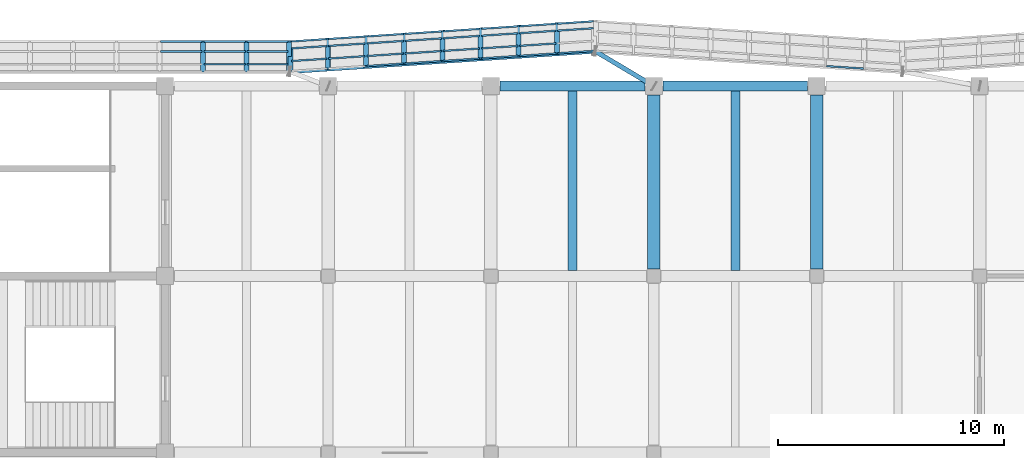
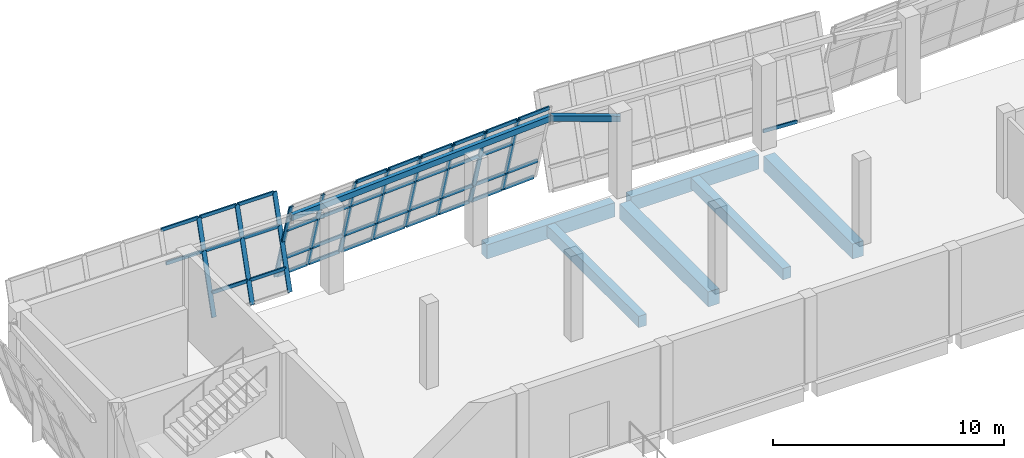
# One storey, part 33 of 71: 49 members, 8 beams, 3 elements without a shape of their own.
"""IFC4 building model written with IfcOpenShell, lengths in metres."""

from ifc_helpers import new_model, si_unit, direction, frame, origin, origin_2d, place, context, subcontext, project, spatial, rectangle, hollow_rectangle, extrude, material, material_profile, profile_set, type_object, element, aggregate, save


model = new_model("IFC4")

# Units and contexts
model_context = context("Model", 3, precision=1e-05, world=origin(), true_north=direction((0.0, 1.0)))
body_context = subcontext(model_context, "Body", "Model", "MODEL_VIEW")
ifc_project = project(units=[si_unit("LENGTHUNIT", "METRE"), si_unit("AREAUNIT", "SQUARE_METRE"), si_unit("VOLUMEUNIT", "CUBIC_METRE"), si_unit("PLANEANGLEUNIT", "RADIAN"), si_unit("MASSUNIT", "GRAM", prefix="KILO")], contexts=[model_context])

# Site, building, storey
site_placement = place(None, origin())
site = spatial("IfcSite", under=ifc_project, at=site_placement, CompositionType="ELEMENT")
building_placement = place(site_placement, origin())
building = spatial("IfcBuilding", under=site, at=building_placement, Name="Pellamere Symphony Hall", CompositionType="ELEMENT")
storey_placement = place(building_placement, frame((0.0, 0.0, 15.0)))
storey = spatial("IfcBuildingStorey", under=building, at=storey_placement, Name="L03", CompositionType="ELEMENT", Elevation=15.0)

# Curtain wall, members
ifc_material_1 = material(Name="Thermally Broken Anodised Aluminium 6063-T6 Curtain Wall", Category="aluminium")
curtain_wall_type = type_object("IfcCurtainWallType", Name="Curtain Wall CW-01 (Tilted Faceted Crystal Low-Iron Curtain Wall)", PredefinedType="NOTDEFINED", material=ifc_material_1)
curtain_wall_1_placement = place(storey_placement, origin())
curtain_wall_1 = element("IfcCurtainWall", 1, at=curtain_wall_1_placement, inside=storey, type_object=curtain_wall_type, Name="Crystal Faceted Curtain Wall CW-CR13 (L03)", PredefinedType="NOTDEFINED")
ifc_material_2 = material(Name="Anodised Architectural Aluminium 6063-T6", Category="aluminium")
ifc_material_profile_1 = material_profile(ifc_material_2, hollow_rectangle(XDim=0.074951171875, YDim=0.219970703125, WallThickness=0.0048828125, at=origin_2d()), Name="ALU-M75X220X5")
ifc_profile_set_1 = profile_set([ifc_material_profile_1], Name="Anodised Architectural Aluminium 6063-T6")
member_type_1 = type_object("IfcMemberType", Name="Curtain Wall Mullion ML-01 ALU-M75X220X5", PredefinedType="MULLION", material=ifc_profile_set_1)
member_1_placement = place(storey_placement, frame((76.112548828125, 96.37060546875, 0.0), z_axis=(0.0, -0.284024567884, 0.95881700279), x_axis=(0.066519010519, -0.956693374484, -0.283395498301)))
member_1 = element("IfcMember", 2, at=member_1_placement, type_object=member_type_1, Name="CW1-032 crystal mullion 2", PredefinedType="MULLION", context=body_context, shape_type="SweptSolid", body=[
    extrude(hollow_rectangle(XDim=0.074951171875, YDim=0.219970703125, WallThickness=0.0048828125, at=origin_2d()), origin(), (0.0, 0.0, 1.0), 4.693359375),
])
member_2_placement = place(storey_placement, frame((74.425048828125, 96.258056640625, 0.0), z_axis=(0.0, -0.284024567884, 0.95881700279), x_axis=(0.066519010519, -0.956693374484, -0.283395498301)))
member_2 = element("IfcMember", 3, at=member_2_placement, type_object=member_type_1, Name="CW1-032 crystal mullion 3", PredefinedType="MULLION", context=body_context, shape_type="SweptSolid", body=[
    extrude(hollow_rectangle(XDim=0.074951171875, YDim=0.219970703125, WallThickness=0.0048828125, at=origin_2d()), origin(), (0.0, 0.0, 1.0), 4.693359375),
])
member_3_placement = place(storey_placement, frame((72.737548828125, 96.1455078125, 0.0), z_axis=(0.0, -0.284024567884, 0.95881700279), x_axis=(0.066519010519, -0.956693374484, -0.283395498301)))
member_3 = element("IfcMember", 4, at=member_3_placement, type_object=member_type_1, Name="CW1-032 crystal mullion 4", PredefinedType="MULLION", context=body_context, shape_type="SweptSolid", body=[
    extrude(hollow_rectangle(XDim=0.074951171875, YDim=0.219970703125, WallThickness=0.0048828125, at=origin_2d()), origin(), (0.0, 0.0, 1.0), 4.693359375),
])
member_4_placement = place(storey_placement, frame((71.050048828125, 96.032958984375, 0.0), z_axis=(0.0, -0.284024567884, 0.95881700279), x_axis=(0.066519010519, -0.956693374484, -0.283395498301)))
member_4 = element("IfcMember", 5, at=member_4_placement, type_object=member_type_1, Name="CW1-032 crystal mullion 5", PredefinedType="MULLION", context=body_context, shape_type="SweptSolid", body=[
    extrude(hollow_rectangle(XDim=0.074951171875, YDim=0.219970703125, WallThickness=0.0048828125, at=origin_2d()), origin(), (0.0, 0.0, 1.0), 4.693359375),
])
member_5_placement = place(storey_placement, frame((69.362548828125, 95.92041015625, 0.0), z_axis=(0.0, -0.284024567884, 0.95881700279), x_axis=(0.066519010519, -0.956693374484, -0.283395498301)))
member_5 = element("IfcMember", 6, at=member_5_placement, type_object=member_type_1, Name="CW1-032 crystal mullion 6", PredefinedType="MULLION", context=body_context, shape_type="SweptSolid", body=[
    extrude(hollow_rectangle(XDim=0.074951171875, YDim=0.219970703125, WallThickness=0.0048828125, at=origin_2d()), origin(), (0.0, 0.0, 1.0), 4.693359375),
])
member_6_placement = place(storey_placement, frame((67.675048828125, 95.80810546875, 0.0), z_axis=(0.0, -0.284024567884, 0.95881700279), x_axis=(0.066519010519, -0.956693374484, -0.283395498301)))
member_6 = element("IfcMember", 7, at=member_6_placement, type_object=member_type_1, Name="CW1-032 crystal mullion 7", PredefinedType="MULLION", context=body_context, shape_type="SweptSolid", body=[
    extrude(hollow_rectangle(XDim=0.074951171875, YDim=0.219970703125, WallThickness=0.0048828125, at=origin_2d()), origin(), (0.0, 0.0, 1.0), 4.693359375),
])
member_7_placement = place(storey_placement, frame((65.987548828125, 95.695556640625, 0.0), z_axis=(0.0, -0.284024567884, 0.95881700279), x_axis=(0.066519010519, -0.956693374484, -0.283395498301)))
member_7 = element("IfcMember", 8, at=member_7_placement, type_object=member_type_1, Name="CW1-032 crystal mullion 8", PredefinedType="MULLION", context=body_context, shape_type="SweptSolid", body=[
    extrude(hollow_rectangle(XDim=0.074951171875, YDim=0.219970703125, WallThickness=0.0048828125, at=origin_2d()), origin(), (0.0, 0.0, 1.0), 4.693359375),
])
member_8_placement = place(storey_placement, frame((64.33740234375, 95.58544921875, 0.0), z_axis=(0.0, -0.284024567884, 0.95881700279), x_axis=(0.066519010519, -0.956693374484, -0.283395498301)))
member_8 = element("IfcMember", 9, at=member_8_placement, type_object=member_type_1, Name="CW1-032 crystal mullion 9", PredefinedType="MULLION", context=body_context, shape_type="SweptSolid", body=[
    extrude(hollow_rectangle(XDim=0.074951171875, YDim=0.219970703125, WallThickness=0.0048828125, at=origin_2d()), origin(), (0.0, 0.0, 1.0), 4.693359375),
])

curtain_wall_2_placement = place(storey_placement, origin())
curtain_wall_2 = element("IfcCurtainWall", 10, at=curtain_wall_2_placement, inside=storey, type_object=curtain_wall_type, Name="Crystal Faceted Curtain Wall CW-CR14 (L03)", PredefinedType="NOTDEFINED")
member_9_placement = place(storey_placement, frame((64.262451171875, 94.25, 0.0), z_axis=(0.0, 0.284024567884, 0.95881700279), x_axis=(0.0, 0.95881700279, -0.284024567884)))
member_9 = element("IfcMember", 11, at=member_9_placement, type_object=member_type_1, Name="CW1-035 crystal mullion 1", PredefinedType="MULLION", context=body_context, shape_type="SweptSolid", body=[
    extrude(hollow_rectangle(XDim=0.074951171875, YDim=0.219970703125, WallThickness=0.0048828125, at=origin_2d()), origin(), (0.0, 0.0, 1.0), 4.693359375),
])
member_10_placement = place(storey_placement, frame((62.3857421875, 94.25, 0.0), z_axis=(0.0, 0.284024567884, 0.95881700279), x_axis=(0.0, 0.95881700279, -0.284024567884)))
member_10 = element("IfcMember", 12, at=member_10_placement, type_object=member_type_1, Name="CW1-035 crystal mullion 2", PredefinedType="MULLION", context=body_context, shape_type="SweptSolid", body=[
    extrude(hollow_rectangle(XDim=0.074951171875, YDim=0.219970703125, WallThickness=0.0048828125, at=origin_2d()), origin(), (0.0, 0.0, 1.0), 4.693359375),
])
member_11_placement = place(storey_placement, frame((60.471435546875, 94.25, 0.0), z_axis=(0.0, 0.284024567884, 0.95881700279), x_axis=(0.0, 0.95881700279, -0.284024567884)))
member_11 = element("IfcMember", 13, at=member_11_placement, type_object=member_type_1, Name="CW1-035 crystal mullion 3", PredefinedType="MULLION", context=body_context, shape_type="SweptSolid", body=[
    extrude(hollow_rectangle(XDim=0.074951171875, YDim=0.219970703125, WallThickness=0.0048828125, at=origin_2d()), origin(), (0.0, 0.0, 1.0), 4.693359375),
])

# Curtain wall, member
curtain_wall_3_placement = place(storey_placement, origin())
curtain_wall_3 = element("IfcCurtainWall", 14, at=curtain_wall_3_placement, inside=storey, type_object=curtain_wall_type, Name="Crystal Faceted Curtain Wall CW-CR12 (L03)", PredefinedType="NOTDEFINED")
ifc_material_profile_2 = material_profile(ifc_material_2, hollow_rectangle(XDim=0.074951171875, YDim=0.179931640625, WallThickness=0.0048828125, at=origin_2d()), Name="ALU-T75X180X5")
ifc_profile_set_2 = profile_set([ifc_material_profile_2], Name="Anodised Architectural Aluminium 6063-T6")
member_type_2 = type_object("IfcMemberType", Name="Curtain Wall Transom TR-01 ALU-T75X180X5", PredefinedType="USERDEFINED", material=ifc_profile_set_2)
member_12_placement = place(storey_placement, frame((89.66259765625, 94.375732421875, 0.035888671875), z_axis=(-0.997822801026, 0.065951935174, 0.0), x_axis=(-0.065951935174, -0.997822801026, 0.0)))
member_12 = element("IfcMember", 15, at=member_12_placement, type_object=member_type_2, Name="CW1-029 crystal transom 2.1", ObjectType="TRANSOM", PredefinedType="USERDEFINED", context=body_context, shape_type="SweptSolid", body=[
    extrude(hollow_rectangle(XDim=0.074951171875, YDim=0.179931640625, WallThickness=0.0048828125, at=origin_2d()), origin(), (0.0, 0.0, 1.0), 1.62890625),
])
aggregate(curtain_wall_3, [member_12])

# Member
member_13_placement = place(storey_placement, frame((77.72509765625, 96.46728515625, 0.035888671875), z_axis=(-0.997786526209, -0.066498482063, 0.0), x_axis=(0.066498482063, -0.997786526209, 0.0)))
member_13 = element("IfcMember", 16, at=member_13_placement, type_object=member_type_2, Name="CW1-032 crystal transom 1.1", ObjectType="TRANSOM", PredefinedType="USERDEFINED", context=body_context, shape_type="SweptSolid", body=[
    extrude(hollow_rectangle(XDim=0.074951171875, YDim=0.179931640625, WallThickness=0.0048828125, at=origin_2d()), origin(), (0.0, 0.0, 1.0), 1.57861328125),
])

member_14_placement = place(storey_placement, frame((77.72509765625, 96.158203125, 1.080078125), z_axis=(-0.997776253366, -0.06665244346, 0.0), x_axis=(0.06665244346, -0.997776253366, 0.0)))
member_14 = element("IfcMember", 17, at=member_14_placement, type_object=member_type_2, Name="CW1-032 crystal transom 1.2", ObjectType="TRANSOM", PredefinedType="USERDEFINED", context=body_context, shape_type="SweptSolid", body=[
    extrude(hollow_rectangle(XDim=0.074951171875, YDim=0.179931640625, WallThickness=0.0048828125, at=origin_2d()), origin(), (0.0, 0.0, 1.0), 1.57861328125),
])

member_15_placement = place(storey_placement, frame((77.72509765625, 95.15576171875, 4.464111328125), z_axis=(-0.997776253366, -0.06665244346, 0.0), x_axis=(0.06665244346, -0.997776253366, 0.0)))
member_15 = element("IfcMember", 18, at=member_15_placement, type_object=member_type_2, Name="CW1-032 crystal transom 1.4", ObjectType="TRANSOM", PredefinedType="USERDEFINED", context=body_context, shape_type="SweptSolid", body=[
    extrude(hollow_rectangle(XDim=0.074951171875, YDim=0.179931640625, WallThickness=0.0048828125, at=origin_2d()), origin(), (0.0, 0.0, 1.0), 1.57861328125),
])

member_16_placement = place(storey_placement, frame((76.0751953125, 96.357421875, 0.035888671875), z_axis=(-0.997779138857, -0.066609234065, 0.0), x_axis=(0.066609234065, -0.997779138857, 0.0)))
member_16 = element("IfcMember", 19, at=member_16_placement, type_object=member_type_2, Name="CW1-032 crystal transom 2.1", ObjectType="TRANSOM", PredefinedType="USERDEFINED", context=body_context, shape_type="SweptSolid", body=[
    extrude(hollow_rectangle(XDim=0.074951171875, YDim=0.179931640625, WallThickness=0.0048828125, at=origin_2d()), origin(), (0.0, 0.0, 1.0), 1.616455078125),
])

member_17_placement = place(storey_placement, frame((76.0751953125, 96.048095703125, 1.080078125), z_axis=(-0.997789166031, -0.066458860589, 0.0), x_axis=(0.066458860589, -0.997789166031, 0.0)))
member_17 = element("IfcMember", 20, at=member_17_placement, type_object=member_type_2, Name="CW1-032 crystal transom 2.2", ObjectType="TRANSOM", PredefinedType="USERDEFINED", context=body_context, shape_type="SweptSolid", body=[
    extrude(hollow_rectangle(XDim=0.074951171875, YDim=0.179931640625, WallThickness=0.0048828125, at=origin_2d()), origin(), (0.0, 0.0, 1.0), 1.616455078125),
])

member_18_placement = place(storey_placement, frame((76.0751953125, 95.48828125, 2.969970703125), z_axis=(-0.997779138857, -0.066609234065, 0.0), x_axis=(0.066609234065, -0.997779138857, 0.0)))
member_18 = element("IfcMember", 21, at=member_18_placement, type_object=member_type_2, Name="CW1-032 crystal transom 2.3", ObjectType="TRANSOM", PredefinedType="USERDEFINED", context=body_context, shape_type="SweptSolid", body=[
    extrude(hollow_rectangle(XDim=0.074951171875, YDim=0.179931640625, WallThickness=0.0048828125, at=origin_2d()), origin(), (0.0, 0.0, 1.0), 1.616455078125),
])

member_19_placement = place(storey_placement, frame((76.0751953125, 95.045654296875, 4.464111328125), z_axis=(-0.997789166031, -0.066458860589, 0.0), x_axis=(0.066458860589, -0.997789166031, 0.0)))
member_19 = element("IfcMember", 22, at=member_19_placement, type_object=member_type_2, Name="CW1-032 crystal transom 2.4", ObjectType="TRANSOM", PredefinedType="USERDEFINED", context=body_context, shape_type="SweptSolid", body=[
    extrude(hollow_rectangle(XDim=0.074951171875, YDim=0.179931640625, WallThickness=0.0048828125, at=origin_2d()), origin(), (0.0, 0.0, 1.0), 1.616455078125),
])

member_20_placement = place(storey_placement, frame((74.3876953125, 96.244873046875, 0.035888671875), z_axis=(-0.997789166031, -0.066458860589, 0.0), x_axis=(0.066458860589, -0.997789166031, 0.0)))
member_20 = element("IfcMember", 23, at=member_20_placement, type_object=member_type_2, Name="CW1-032 crystal transom 3.1", ObjectType="TRANSOM", PredefinedType="USERDEFINED", context=body_context, shape_type="SweptSolid", body=[
    extrude(hollow_rectangle(XDim=0.074951171875, YDim=0.179931640625, WallThickness=0.0048828125, at=origin_2d()), origin(), (0.0, 0.0, 1.0), 1.616455078125),
])

member_21_placement = place(storey_placement, frame((74.3876953125, 95.935546875, 1.080078125), z_axis=(-0.997789166031, -0.066458860589, 0.0), x_axis=(0.066458860589, -0.997789166031, 0.0)))
member_21 = element("IfcMember", 24, at=member_21_placement, type_object=member_type_2, Name="CW1-032 crystal transom 3.2", ObjectType="TRANSOM", PredefinedType="USERDEFINED", context=body_context, shape_type="SweptSolid", body=[
    extrude(hollow_rectangle(XDim=0.074951171875, YDim=0.179931640625, WallThickness=0.0048828125, at=origin_2d()), origin(), (0.0, 0.0, 1.0), 1.616455078125),
])

member_22_placement = place(storey_placement, frame((74.3876953125, 95.375732421875, 2.969970703125), z_axis=(-0.997789166031, -0.066458860589, 0.0), x_axis=(0.066458860589, -0.997789166031, 0.0)))
member_22 = element("IfcMember", 25, at=member_22_placement, type_object=member_type_2, Name="CW1-032 crystal transom 3.3", ObjectType="TRANSOM", PredefinedType="USERDEFINED", context=body_context, shape_type="SweptSolid", body=[
    extrude(hollow_rectangle(XDim=0.074951171875, YDim=0.179931640625, WallThickness=0.0048828125, at=origin_2d()), origin(), (0.0, 0.0, 1.0), 1.616455078125),
])

member_23_placement = place(storey_placement, frame((74.3876953125, 94.93310546875, 4.464111328125), z_axis=(-0.997789166031, -0.066458860589, 0.0), x_axis=(0.066458860589, -0.997789166031, 0.0)))
member_23 = element("IfcMember", 26, at=member_23_placement, type_object=member_type_2, Name="CW1-032 crystal transom 3.4", ObjectType="TRANSOM", PredefinedType="USERDEFINED", context=body_context, shape_type="SweptSolid", body=[
    extrude(hollow_rectangle(XDim=0.074951171875, YDim=0.179931640625, WallThickness=0.0048828125, at=origin_2d()), origin(), (0.0, 0.0, 1.0), 1.616455078125),
])

member_24_placement = place(storey_placement, frame((72.7001953125, 96.13232421875, 0.035888671875), z_axis=(-0.997789166031, -0.066458860589, 0.0), x_axis=(0.066458860589, -0.997789166031, 0.0)))
member_24 = element("IfcMember", 27, at=member_24_placement, type_object=member_type_2, Name="CW1-032 crystal transom 4.1", ObjectType="TRANSOM", PredefinedType="USERDEFINED", context=body_context, shape_type="SweptSolid", body=[
    extrude(hollow_rectangle(XDim=0.074951171875, YDim=0.179931640625, WallThickness=0.0048828125, at=origin_2d()), origin(), (0.0, 0.0, 1.0), 1.616455078125),
])

member_25_placement = place(storey_placement, frame((72.7001953125, 95.822998046875, 1.080078125), z_axis=(-0.997789166031, -0.066458860589, 0.0), x_axis=(0.066458860589, -0.997789166031, 0.0)))
member_25 = element("IfcMember", 28, at=member_25_placement, type_object=member_type_2, Name="CW1-032 crystal transom 4.2", ObjectType="TRANSOM", PredefinedType="USERDEFINED", context=body_context, shape_type="SweptSolid", body=[
    extrude(hollow_rectangle(XDim=0.074951171875, YDim=0.179931640625, WallThickness=0.0048828125, at=origin_2d()), origin(), (0.0, 0.0, 1.0), 1.616455078125),
])

member_26_placement = place(storey_placement, frame((72.7001953125, 95.26318359375, 2.969970703125), z_axis=(-0.997789166031, -0.066458860589, 0.0), x_axis=(0.066458860589, -0.997789166031, 0.0)))
member_26 = element("IfcMember", 29, at=member_26_placement, type_object=member_type_2, Name="CW1-032 crystal transom 4.3", ObjectType="TRANSOM", PredefinedType="USERDEFINED", context=body_context, shape_type="SweptSolid", body=[
    extrude(hollow_rectangle(XDim=0.074951171875, YDim=0.179931640625, WallThickness=0.0048828125, at=origin_2d()), origin(), (0.0, 0.0, 1.0), 1.616455078125),
])

member_27_placement = place(storey_placement, frame((72.7001953125, 94.820556640625, 4.464111328125), z_axis=(-0.997789166031, -0.066458860589, 0.0), x_axis=(0.066458860589, -0.997789166031, 0.0)))
member_27 = element("IfcMember", 30, at=member_27_placement, type_object=member_type_2, Name="CW1-032 crystal transom 4.4", ObjectType="TRANSOM", PredefinedType="USERDEFINED", context=body_context, shape_type="SweptSolid", body=[
    extrude(hollow_rectangle(XDim=0.074951171875, YDim=0.179931640625, WallThickness=0.0048828125, at=origin_2d()), origin(), (0.0, 0.0, 1.0), 1.616455078125),
])

member_28_placement = place(storey_placement, frame((71.0126953125, 96.019775390625, 0.035888671875), z_axis=(-0.997789166031, -0.066458860589, 0.0), x_axis=(0.066458860589, -0.997789166031, 0.0)))
member_28 = element("IfcMember", 31, at=member_28_placement, type_object=member_type_2, Name="CW1-032 crystal transom 5.1", ObjectType="TRANSOM", PredefinedType="USERDEFINED", context=body_context, shape_type="SweptSolid", body=[
    extrude(hollow_rectangle(XDim=0.074951171875, YDim=0.179931640625, WallThickness=0.0048828125, at=origin_2d()), origin(), (0.0, 0.0, 1.0), 1.616455078125),
])

member_29_placement = place(storey_placement, frame((71.0126953125, 95.710693359375, 1.080078125), z_axis=(-0.997779138857, -0.066609234065, 0.0), x_axis=(0.066609234065, -0.997779138857, 0.0)))
member_29 = element("IfcMember", 32, at=member_29_placement, type_object=member_type_2, Name="CW1-032 crystal transom 5.2", ObjectType="TRANSOM", PredefinedType="USERDEFINED", context=body_context, shape_type="SweptSolid", body=[
    extrude(hollow_rectangle(XDim=0.074951171875, YDim=0.179931640625, WallThickness=0.0048828125, at=origin_2d()), origin(), (0.0, 0.0, 1.0), 1.616455078125),
])

member_30_placement = place(storey_placement, frame((71.0126953125, 95.150634765625, 2.969970703125), z_axis=(-0.997789166031, -0.066458860589, 0.0), x_axis=(0.066458860589, -0.997789166031, 0.0)))
member_30 = element("IfcMember", 33, at=member_30_placement, type_object=member_type_2, Name="CW1-032 crystal transom 5.3", ObjectType="TRANSOM", PredefinedType="USERDEFINED", context=body_context, shape_type="SweptSolid", body=[
    extrude(hollow_rectangle(XDim=0.074951171875, YDim=0.179931640625, WallThickness=0.0048828125, at=origin_2d()), origin(), (0.0, 0.0, 1.0), 1.616455078125),
])

member_31_placement = place(storey_placement, frame((71.0126953125, 94.708251953125, 4.464111328125), z_axis=(-0.997779138857, -0.066609234065, 0.0), x_axis=(0.066609234065, -0.997779138857, 0.0)))
member_31 = element("IfcMember", 34, at=member_31_placement, type_object=member_type_2, Name="CW1-032 crystal transom 5.4", ObjectType="TRANSOM", PredefinedType="USERDEFINED", context=body_context, shape_type="SweptSolid", body=[
    extrude(hollow_rectangle(XDim=0.074951171875, YDim=0.179931640625, WallThickness=0.0048828125, at=origin_2d()), origin(), (0.0, 0.0, 1.0), 1.616455078125),
])

member_32_placement = place(storey_placement, frame((69.3251953125, 95.907470703125, 0.035888671875), z_axis=(-0.997779138857, -0.066609234065, 0.0), x_axis=(0.066609234065, -0.997779138857, 0.0)))
member_32 = element("IfcMember", 35, at=member_32_placement, type_object=member_type_2, Name="CW1-032 crystal transom 6.1", ObjectType="TRANSOM", PredefinedType="USERDEFINED", context=body_context, shape_type="SweptSolid", body=[
    extrude(hollow_rectangle(XDim=0.074951171875, YDim=0.179931640625, WallThickness=0.0048828125, at=origin_2d()), origin(), (0.0, 0.0, 1.0), 1.616455078125),
])

member_33_placement = place(storey_placement, frame((69.3251953125, 95.59814453125, 1.080078125), z_axis=(-0.997779138857, -0.066609234065, 0.0), x_axis=(0.066609234065, -0.997779138857, 0.0)))
member_33 = element("IfcMember", 36, at=member_33_placement, type_object=member_type_2, Name="CW1-032 crystal transom 6.2", ObjectType="TRANSOM", PredefinedType="USERDEFINED", context=body_context, shape_type="SweptSolid", body=[
    extrude(hollow_rectangle(XDim=0.074951171875, YDim=0.179931640625, WallThickness=0.0048828125, at=origin_2d()), origin(), (0.0, 0.0, 1.0), 1.616455078125),
])

member_34_placement = place(storey_placement, frame((69.3251953125, 95.038330078125, 2.969970703125), z_axis=(-0.997779138857, -0.066609234065, 0.0), x_axis=(0.066609234065, -0.997779138857, 0.0)))
member_34 = element("IfcMember", 37, at=member_34_placement, type_object=member_type_2, Name="CW1-032 crystal transom 6.3", ObjectType="TRANSOM", PredefinedType="USERDEFINED", context=body_context, shape_type="SweptSolid", body=[
    extrude(hollow_rectangle(XDim=0.074951171875, YDim=0.179931640625, WallThickness=0.0048828125, at=origin_2d()), origin(), (0.0, 0.0, 1.0), 1.616455078125),
])

member_35_placement = place(storey_placement, frame((69.3251953125, 94.595703125, 4.464111328125), z_axis=(-0.997779138857, -0.066609234065, 0.0), x_axis=(0.066609234065, -0.997779138857, 0.0)))
member_35 = element("IfcMember", 38, at=member_35_placement, type_object=member_type_2, Name="CW1-032 crystal transom 6.4", ObjectType="TRANSOM", PredefinedType="USERDEFINED", context=body_context, shape_type="SweptSolid", body=[
    extrude(hollow_rectangle(XDim=0.074951171875, YDim=0.179931640625, WallThickness=0.0048828125, at=origin_2d()), origin(), (0.0, 0.0, 1.0), 1.616455078125),
])

member_36_placement = place(storey_placement, frame((67.6376953125, 95.794921875, 0.035888671875), z_axis=(-0.997779138857, -0.066609234065, 0.0), x_axis=(0.066609234065, -0.997779138857, 0.0)))
member_36 = element("IfcMember", 39, at=member_36_placement, type_object=member_type_2, Name="CW1-032 crystal transom 7.1", ObjectType="TRANSOM", PredefinedType="USERDEFINED", context=body_context, shape_type="SweptSolid", body=[
    extrude(hollow_rectangle(XDim=0.074951171875, YDim=0.179931640625, WallThickness=0.0048828125, at=origin_2d()), origin(), (0.0, 0.0, 1.0), 1.616455078125),
])

member_37_placement = place(storey_placement, frame((67.6376953125, 95.485595703125, 1.080078125), z_axis=(-0.997789166031, -0.066458860589, 0.0), x_axis=(0.066458860589, -0.997789166031, 0.0)))
member_37 = element("IfcMember", 40, at=member_37_placement, type_object=member_type_2, Name="CW1-032 crystal transom 7.2", ObjectType="TRANSOM", PredefinedType="USERDEFINED", context=body_context, shape_type="SweptSolid", body=[
    extrude(hollow_rectangle(XDim=0.074951171875, YDim=0.179931640625, WallThickness=0.0048828125, at=origin_2d()), origin(), (0.0, 0.0, 1.0), 1.616455078125),
])

member_38_placement = place(storey_placement, frame((67.6376953125, 94.92578125, 2.969970703125), z_axis=(-0.997779138857, -0.066609234065, 0.0), x_axis=(0.066609234065, -0.997779138857, 0.0)))
member_38 = element("IfcMember", 41, at=member_38_placement, type_object=member_type_2, Name="CW1-032 crystal transom 7.3", ObjectType="TRANSOM", PredefinedType="USERDEFINED", context=body_context, shape_type="SweptSolid", body=[
    extrude(hollow_rectangle(XDim=0.074951171875, YDim=0.179931640625, WallThickness=0.0048828125, at=origin_2d()), origin(), (0.0, 0.0, 1.0), 1.616455078125),
])

member_39_placement = place(storey_placement, frame((65.9501953125, 95.682373046875, 0.035888671875), z_axis=(-0.99778720991, -0.066488222573, 0.0), x_axis=(0.066488222573, -0.99778720991, 0.0)))
member_39 = element("IfcMember", 42, at=member_39_placement, type_object=member_type_2, Name="CW1-032 crystal transom 8.1", ObjectType="TRANSOM", PredefinedType="USERDEFINED", context=body_context, shape_type="SweptSolid", body=[
    extrude(hollow_rectangle(XDim=0.074951171875, YDim=0.179931640625, WallThickness=0.0048828125, at=origin_2d()), origin(), (0.0, 0.0, 1.0), 1.578857421875),
])

member_40_placement = place(storey_placement, frame((65.9501953125, 95.373046875, 1.080078125), z_axis=(-0.99778720991, -0.066488222573, 0.0), x_axis=(0.066488222573, -0.99778720991, 0.0)))
member_40 = element("IfcMember", 43, at=member_40_placement, type_object=member_type_2, Name="CW1-032 crystal transom 8.2", ObjectType="TRANSOM", PredefinedType="USERDEFINED", context=body_context, shape_type="SweptSolid", body=[
    extrude(hollow_rectangle(XDim=0.074951171875, YDim=0.179931640625, WallThickness=0.0048828125, at=origin_2d()), origin(), (0.0, 0.0, 1.0), 1.578857421875),
])

member_41_placement = place(storey_placement, frame((65.9501953125, 94.813232421875, 2.969970703125), z_axis=(-0.99778720991, -0.066488222573, 0.0), x_axis=(0.066488222573, -0.99778720991, 0.0)))
member_41 = element("IfcMember", 44, at=member_41_placement, type_object=member_type_2, Name="CW1-032 crystal transom 8.3", ObjectType="TRANSOM", PredefinedType="USERDEFINED", context=body_context, shape_type="SweptSolid", body=[
    extrude(hollow_rectangle(XDim=0.074951171875, YDim=0.179931640625, WallThickness=0.0048828125, at=origin_2d()), origin(), (0.0, 0.0, 1.0), 1.578857421875),
])

aggregate(curtain_wall_1, [member_1, member_2, member_3, member_4, member_5, member_6, member_7, member_8, member_13, member_14, member_15, member_16, member_17, member_18, member_19, member_20, member_21, member_22, member_23, member_24, member_25, member_26, member_27, member_28, member_29, member_30, member_31, member_32, member_33, member_34, member_35, member_36, member_37, member_38, member_39, member_40, member_41])

member_42_placement = place(storey_placement, frame((64.22509765625, 94.56982421875, 1.080078125), z_axis=(-1.0, 0.0, 0.0), x_axis=(0.0, -1.0, 0.0)))
member_42 = element("IfcMember", 45, at=member_42_placement, type_object=member_type_2, Name="CW1-035 crystal transom 1.2", ObjectType="TRANSOM", PredefinedType="USERDEFINED", context=body_context, shape_type="SweptSolid", body=[
    extrude(hollow_rectangle(XDim=0.074951171875, YDim=0.179931640625, WallThickness=0.0048828125, at=origin_2d()), origin(), (0.0, 0.0, 1.0), 1.802001953125),
])

member_43_placement = place(storey_placement, frame((64.22509765625, 95.1298828125, 2.969970703125), z_axis=(-1.0, 0.0, 0.0), x_axis=(0.0, -1.0, 0.0)))
member_43 = element("IfcMember", 46, at=member_43_placement, type_object=member_type_2, Name="CW1-035 crystal transom 1.3", ObjectType="TRANSOM", PredefinedType="USERDEFINED", context=body_context, shape_type="SweptSolid", body=[
    extrude(hollow_rectangle(XDim=0.074951171875, YDim=0.179931640625, WallThickness=0.0048828125, at=origin_2d()), origin(), (0.0, 0.0, 1.0), 1.802001953125),
])

member_44_placement = place(storey_placement, frame((64.22509765625, 95.572265625, 4.464111328125), z_axis=(-1.0, 0.0, 0.0), x_axis=(0.0, -1.0, 0.0)))
member_44 = element("IfcMember", 47, at=member_44_placement, type_object=member_type_2, Name="CW1-035 crystal transom 1.4", ObjectType="TRANSOM", PredefinedType="USERDEFINED", context=body_context, shape_type="SweptSolid", body=[
    extrude(hollow_rectangle(XDim=0.074951171875, YDim=0.179931640625, WallThickness=0.0048828125, at=origin_2d()), origin(), (0.0, 0.0, 1.0), 1.802001953125),
])

member_45_placement = place(storey_placement, frame((62.34814453125, 94.56982421875, 1.080078125), z_axis=(-1.0, 0.0, 0.0), x_axis=(0.0, -1.0, 0.0)))
member_45 = element("IfcMember", 48, at=member_45_placement, type_object=member_type_2, Name="CW1-035 crystal transom 2.2", ObjectType="TRANSOM", PredefinedType="USERDEFINED", context=body_context, shape_type="SweptSolid", body=[
    extrude(hollow_rectangle(XDim=0.074951171875, YDim=0.179931640625, WallThickness=0.0048828125, at=origin_2d()), origin(), (0.0, 0.0, 1.0), 1.839111328125),
])

member_46_placement = place(storey_placement, frame((62.34814453125, 95.1298828125, 2.969970703125), z_axis=(-1.0, 0.0, 0.0), x_axis=(0.0, -1.0, 0.0)))
member_46 = element("IfcMember", 49, at=member_46_placement, type_object=member_type_2, Name="CW1-035 crystal transom 2.3", ObjectType="TRANSOM", PredefinedType="USERDEFINED", context=body_context, shape_type="SweptSolid", body=[
    extrude(hollow_rectangle(XDim=0.074951171875, YDim=0.179931640625, WallThickness=0.0048828125, at=origin_2d()), origin(), (0.0, 0.0, 1.0), 1.839111328125),
])

member_47_placement = place(storey_placement, frame((62.34814453125, 95.572265625, 4.464111328125), z_axis=(-1.0, 0.0, 0.0), x_axis=(0.0, -1.0, 0.0)))
member_47 = element("IfcMember", 50, at=member_47_placement, type_object=member_type_2, Name="CW1-035 crystal transom 2.4", ObjectType="TRANSOM", PredefinedType="USERDEFINED", context=body_context, shape_type="SweptSolid", body=[
    extrude(hollow_rectangle(XDim=0.074951171875, YDim=0.179931640625, WallThickness=0.0048828125, at=origin_2d()), origin(), (0.0, 0.0, 1.0), 1.839111328125),
])

member_48_placement = place(storey_placement, frame((60.433837890625, 95.1298828125, 2.969970703125), z_axis=(-1.0, 0.0, 0.0), x_axis=(0.0, -1.0, 0.0)))
member_48 = element("IfcMember", 51, at=member_48_placement, type_object=member_type_2, Name="CW1-035 crystal transom 3.3", ObjectType="TRANSOM", PredefinedType="USERDEFINED", context=body_context, shape_type="SweptSolid", body=[
    extrude(hollow_rectangle(XDim=0.074951171875, YDim=0.179931640625, WallThickness=0.0048828125, at=origin_2d()), origin(), (0.0, 0.0, 1.0), 1.839111328125),
])

member_49_placement = place(storey_placement, frame((60.433837890625, 95.572265625, 4.464111328125), z_axis=(-1.0, 0.0, 0.0), x_axis=(0.0, -1.0, 0.0)))
member_49 = element("IfcMember", 52, at=member_49_placement, type_object=member_type_2, Name="CW1-035 crystal transom 3.4", ObjectType="TRANSOM", PredefinedType="USERDEFINED", context=body_context, shape_type="SweptSolid", body=[
    extrude(hollow_rectangle(XDim=0.074951171875, YDim=0.179931640625, WallThickness=0.0048828125, at=origin_2d()), origin(), (0.0, 0.0, 1.0), 1.839111328125),
])

aggregate(curtain_wall_2, [member_9, member_10, member_11, member_42, member_43, member_44, member_45, member_46, member_47, member_48, member_49])

# Beams
ifc_material_3 = material(Name="Concrete 40 MPa", Category="concrete")
ifc_material_profile_3 = material_profile(ifc_material_3, rectangle(XDim=0.550048828125, YDim=0.800048828125, at=origin_2d()), Name="RC 550x800")
ifc_profile_set_3 = profile_set([ifc_material_profile_3], Name="Concrete 40 MPa")
beam_type_1 = type_object("IfcBeamType", Name="RC CB-05 550x800", PredefinedType="BEAM", material=ifc_profile_set_3)
for number, where, z_axis, x_axis, name in (
    (53, (80.39990234375, 85.52490234375, -0.659912109375), (0.0, 1.0, 0.0), (-1.0, 0.0, 0.0), "Girder CB-05-Y1634 (L03)"),
    (54, (87.60009765625, 85.52490234375, -0.659912109375), (0.0, 1.0, 0.0), (-1.0, 0.0, 0.0), "Girder CB-05-Y1638 (L03)"),
):
    element("IfcBeam", number, at=place(storey_placement, frame(where, z_axis=z_axis, x_axis=x_axis)), inside=storey, type_object=beam_type_1, Name=name, PredefinedType="BEAM", context=body_context, shape_type="SweptSolid", body=[
        extrude(rectangle(XDim=0.550048828125, YDim=0.800048828125, at=origin_2d()), origin(), (0.0, 0.0, 1.0), 7.675048828125),
    ])
ifc_material_profile_4 = material_profile(ifc_material_3, rectangle(XDim=0.39990234375, YDim=0.60009765625, at=origin_2d()), Name="RC 400x600")
ifc_profile_set_4 = profile_set([ifc_material_profile_4], Name="Concrete 40 MPa")
beam_type_2 = type_object("IfcBeamType", Name="RC CB-09 400x600", PredefinedType="BEAM", material=ifc_profile_set_4)
for number, where, z_axis, x_axis, name in (
    (55, (76.800048828125, 85.43994140625, -0.574951171875), (0.0, 1.0, 0.0), (-1.0, 0.0, 0.0), "Secondary Floor Beam CB-09-M0911 (L03)"),
    (56, (84.0, 85.43994140625, -0.574951171875), (0.0, 1.0, 0.0), (-1.0, 0.0, 0.0), "Secondary Floor Beam CB-09-M1011 (L03)"),
):
    element("IfcBeam", number, at=place(storey_placement, frame(where, z_axis=z_axis, x_axis=x_axis)), inside=storey, type_object=beam_type_2, Name=name, PredefinedType="BEAM", context=body_context, shape_type="SweptSolid", body=[
        extrude(rectangle(XDim=0.39990234375, YDim=0.60009765625, at=origin_2d()), origin(), (0.0, 0.0, 1.0), 7.93505859375),
    ])
ifc_material_profile_5 = material_profile(ifc_material_3, rectangle(XDim=0.449951171875, YDim=0.75, at=origin_2d()), Name="RC 450x750")
ifc_profile_set_5 = profile_set([ifc_material_profile_5], Name="Concrete 40 MPa")
beam_type_3 = type_object("IfcBeamType", Name="RC CB-12 450x750", PredefinedType="SPANDREL", material=ifc_profile_set_5)
for number, where, z_axis, x_axis, name in (
    (57, (73.60009765625, 93.60009765625, -0.635009765625), (1.0, 0.0, 0.0), (0.0, 1.0, 0.0), "Girder CB-12-X1596 (L03)"),
    (58, (80.800048828125, 93.60009765625, -0.635009765625), (1.0, 0.0, 0.0), (0.0, 1.0, 0.0), "Girder CB-12-X1597 (L03)"),
):
    element("IfcBeam", number, at=place(storey_placement, frame(where, z_axis=z_axis, x_axis=x_axis)), inside=storey, type_object=beam_type_3, Name=name, PredefinedType="SPANDREL", context=body_context, shape_type="SweptSolid", body=[
        extrude(rectangle(XDim=0.449951171875, YDim=0.75, at=origin_2d()), origin(), (0.0, 0.0, 1.0), 6.39990234375),
    ])
ifc_material_4 = material(Name="Steel CSA G40.21 350W", Category="steel")
ifc_material_profile_6 = material_profile(ifc_material_4, hollow_rectangle(XDim=0.203125, YDim=0.3046875, WallThickness=0.0126953125, at=origin_2d()), Name="HSS305X203X13")
ifc_profile_set_6 = profile_set([ifc_material_profile_6], Name="Steel CSA G40.21 350W")
beam_type_4 = type_object("IfcBeamType", Name="Steel Spandrel SB-26 HSS305X203X13", PredefinedType="SPANDREL", material=ifc_profile_set_6)
beam_1_placement = place(storey_placement, frame((80.39990234375, 93.60009765625, 3.93994140625), z_axis=(-0.858962665903, 0.512038219847, 0.0), x_axis=(-0.512038219847, -0.858962665903, 0.0)))
element("IfcBeam", 59, at=beam_1_placement, inside=storey, type_object=beam_type_4, Name="Crystal Ring Outrigger Bracket 066 (L03)", PredefinedType="SPANDREL", context=body_context, shape_type="SweptSolid", body=[
    extrude(hollow_rectangle(XDim=0.203125, YDim=0.3046875, WallThickness=0.0126953125, at=origin_2d()), origin(), (0.0, 0.0, 1.0), 3.02685546875),
])
beam_2_placement = place(storey_placement, frame((77.800048828125, 95.14990234375, 3.93994140625), z_axis=(-0.997785636887, -0.066511824681, 0.0), x_axis=(0.066511824681, -0.997785636887, 0.0)))
element("IfcBeam", 60, at=beam_2_placement, inside=storey, type_object=beam_type_4, Name="Crystal Perimeter Ring Beam CW-CR13 (L03)", PredefinedType="SPANDREL", context=body_context, shape_type="SweptSolid", body=[
    extrude(hollow_rectangle(XDim=0.203125, YDim=0.3046875, WallThickness=0.0126953125, at=origin_2d()), origin(), (0.0, 0.0, 1.0), 13.530029296875),
])

save(model, "model.ifc")
